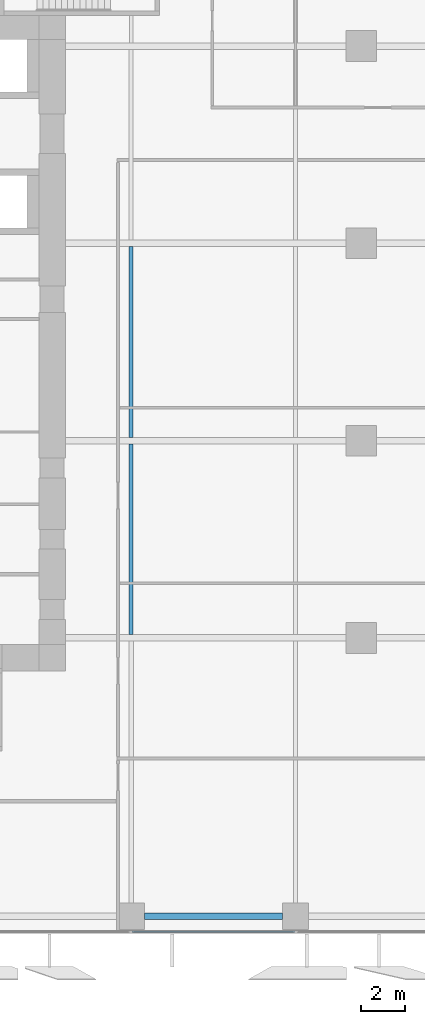
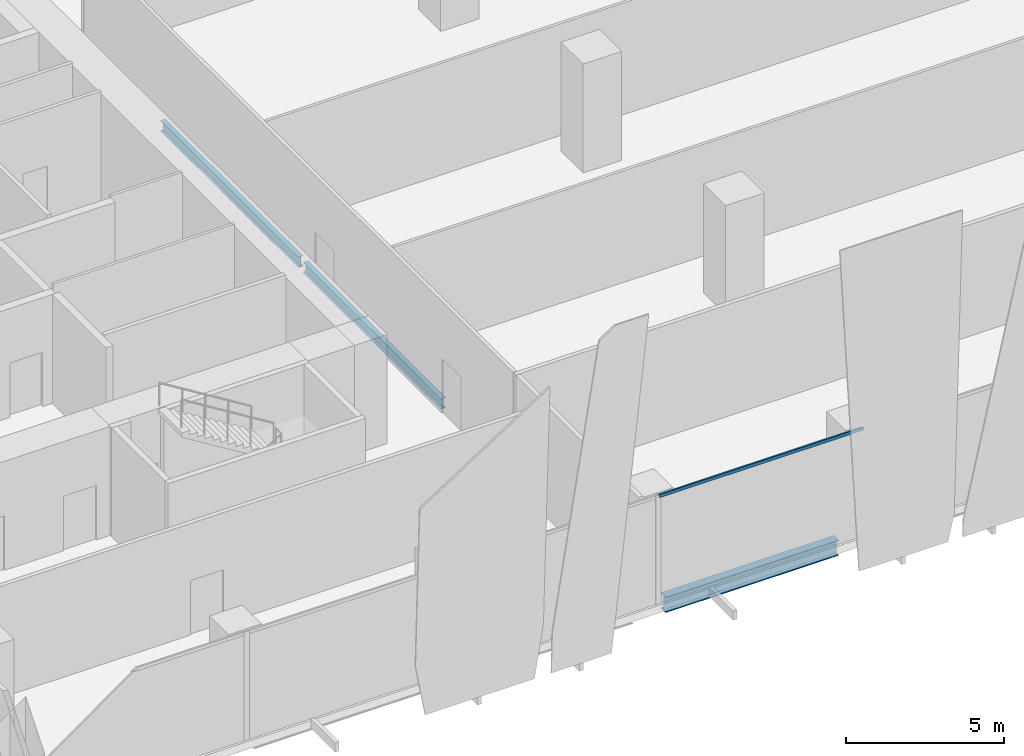
# One storey, part 6 of 36: 3 beams, 1 member, 1 element without a shape of its own.
"""IFC4 building model written with IfcOpenShell, lengths in metres."""

from ifc_helpers import new_model, si_unit, direction, frame, origin, origin_2d, place, context, subcontext, project, spatial, hollow_rectangle, i_section, extrude, source, transform, mapped, material, material_profile, profile_set, type_object, element, aggregate, save


model = new_model("IFC4")

# Units and contexts
model_context = context("Model", 3, precision=1e-05, world=origin(), true_north=direction((0.0, 1.0)))
body_context = subcontext(model_context, "Body", "Model", "MODEL_VIEW")
ifc_project = project(units=[si_unit("LENGTHUNIT", "METRE"), si_unit("AREAUNIT", "SQUARE_METRE"), si_unit("VOLUMEUNIT", "CUBIC_METRE"), si_unit("PLANEANGLEUNIT", "RADIAN"), si_unit("MASSUNIT", "GRAM", prefix="KILO")], contexts=[model_context])

# Site, building, storey
site_placement = place(None, origin())
site = spatial("IfcSite", under=ifc_project, at=site_placement, CompositionType="ELEMENT")
building_placement = place(site_placement, origin())
building = spatial("IfcBuilding", under=site, at=building_placement, Name="Khomas Fold Tower", CompositionType="ELEMENT")
storey_placement = place(building_placement, frame((0.0, 0.0, 46.5)))
storey = spatial("IfcBuildingStorey", under=building, at=storey_placement, Name="L09", CompositionType="ELEMENT", Elevation=46.5)

# Beams
ifc_material_1 = material(Name="Steel S355", Category="steel")
ifc_material_profile_1 = material_profile(ifc_material_1, i_section(OverallWidth=0.179931640625, OverallDepth=0.39990234375, WebThickness=0.008544921875, FlangeThickness=0.013427734375, at=origin_2d()), Name="IPE 400")
ifc_profile_set_1 = profile_set([ifc_material_profile_1], Name="Steel S355")
beam_type_1 = type_object("IfcBeamType", Name="IPE 400 beam JB3", PredefinedType="BEAM", material=ifc_profile_set_1)
shared_shape_1 = source(origin(), body_context, "Body", "SweptSolid", [
    extrude(i_section(OverallWidth=0.179931640625, OverallDepth=0.39990234375, WebThickness=0.008544921875, FlangeThickness=0.013427734375, at=origin_2d()), origin(), (0.0, 0.0, 1.0), 8.7001953125),
])
for number, where, z_axis, x_axis, name in (
    (1, (27.0, 13.64990234375, -0.5), (0.0, 1.0, 0.0), (-1.0, 0.0, 0.0), "JB3"),
    (2, (27.0, 22.64990234375, -0.5), (0.0, 1.0, 0.0), (-1.0, 0.0, 0.0), "JB3"),
):
    element("IfcBeam", number, at=place(storey_placement, frame(where, z_axis=z_axis, x_axis=x_axis)), inside=storey, type_object=beam_type_1, Name=name, PredefinedType="BEAM", context=body_context, shape_type="MappedRepresentation", body=[
        mapped(shared_shape_1, transform((0.0, 0.0, 0.0))),
    ])
ifc_material_2 = material(Name="Steel S355", Category="steel")
ifc_material_profile_2 = material_profile(ifc_material_2, i_section(OverallWidth=0.300048828125, OverallDepth=0.60009765625, WebThickness=0.015380859375, FlangeThickness=0.030029296875, at=origin_2d()), Name="HE 600 B")
ifc_profile_set_2 = profile_set([ifc_material_profile_2], Name="Steel S355")
beam_type_2 = type_object("IfcBeamType", Name="HE 600 B spandrel SB1", PredefinedType="SPANDREL", material=ifc_profile_set_2)
shared_shape_2 = source(origin(), body_context, "Body", "SweptSolid", [
    extrude(i_section(OverallWidth=0.300048828125, OverallDepth=0.60009765625, WebThickness=0.015380859375, FlangeThickness=0.030029296875, at=origin_2d()), origin(), (0.0, 0.0, 1.0), 6.2998046875),
])
beam_placement = place(storey_placement, frame((27.60009765625, 0.800048828125, -0.60009765625), z_axis=(1.0, 0.0, 0.0), x_axis=(0.0, 1.0, 0.0)))
element("IfcBeam", 3, at=beam_placement, inside=storey, type_object=beam_type_2, Name="SB1", PredefinedType="SPANDREL", context=body_context, shape_type="MappedRepresentation", body=[
    mapped(shared_shape_2, transform((0.0, 0.0, 0.0))),
])

# Curtain wall, member
ifc_material_3 = material(Name="Aluminium framed double glazing", Category="aluminium")
curtain_wall_type = type_object("IfcCurtainWallType", Name="SK-Unitised clear-glass wall, growing floors CW1", PredefinedType="NOTDEFINED", material=ifc_material_3)
curtain_wall_placement = place(storey_placement, origin())
curtain_wall = element("IfcCurtainWall", 4, at=curtain_wall_placement, inside=storey, type_object=curtain_wall_type, Name="CW1 run L09 00-0", PredefinedType="NOTDEFINED")
ifc_material_4 = material(Name="Aluminium", Category="aluminium")
ifc_material_profile_3 = material_profile(ifc_material_4, hollow_rectangle(XDim=0.06005859375, YDim=0.1201171875, WallThickness=0.00390625, at=origin_2d()), Name="SK-Unitised clear-glass wall, growing floors transom CW1-T")
ifc_profile_set_3 = profile_set([ifc_material_profile_3], Name="Aluminium")
member_type = type_object("IfcMemberType", Name="SK-Unitised clear-glass wall, growing floors transom CW1-T", PredefinedType="USERDEFINED", material=ifc_profile_set_3)
shared_shape_3 = source(origin(), body_context, "Body", "SweptSolid", [
    extrude(hollow_rectangle(XDim=0.06005859375, YDim=0.1201171875, WallThickness=0.00390625, at=origin_2d()), origin(), (0.0, 0.0, 1.0), 7.43994140625),
])
member_placement = place(storey_placement, frame((27.030029296875, 0.10009765625, 4.139892578125), z_axis=(1.0, 0.0, 0.0), x_axis=(0.0, 1.0, 0.0)))
member = element("IfcMember", 5, at=member_placement, type_object=member_type, Name="CW1 transom 5", ObjectType="TRANSOM", PredefinedType="USERDEFINED", context=body_context, shape_type="MappedRepresentation", body=[
    mapped(shared_shape_3, transform((0.0, 0.0, 0.0))),
])
aggregate(curtain_wall, [member])

save(model, "model.ifc")
